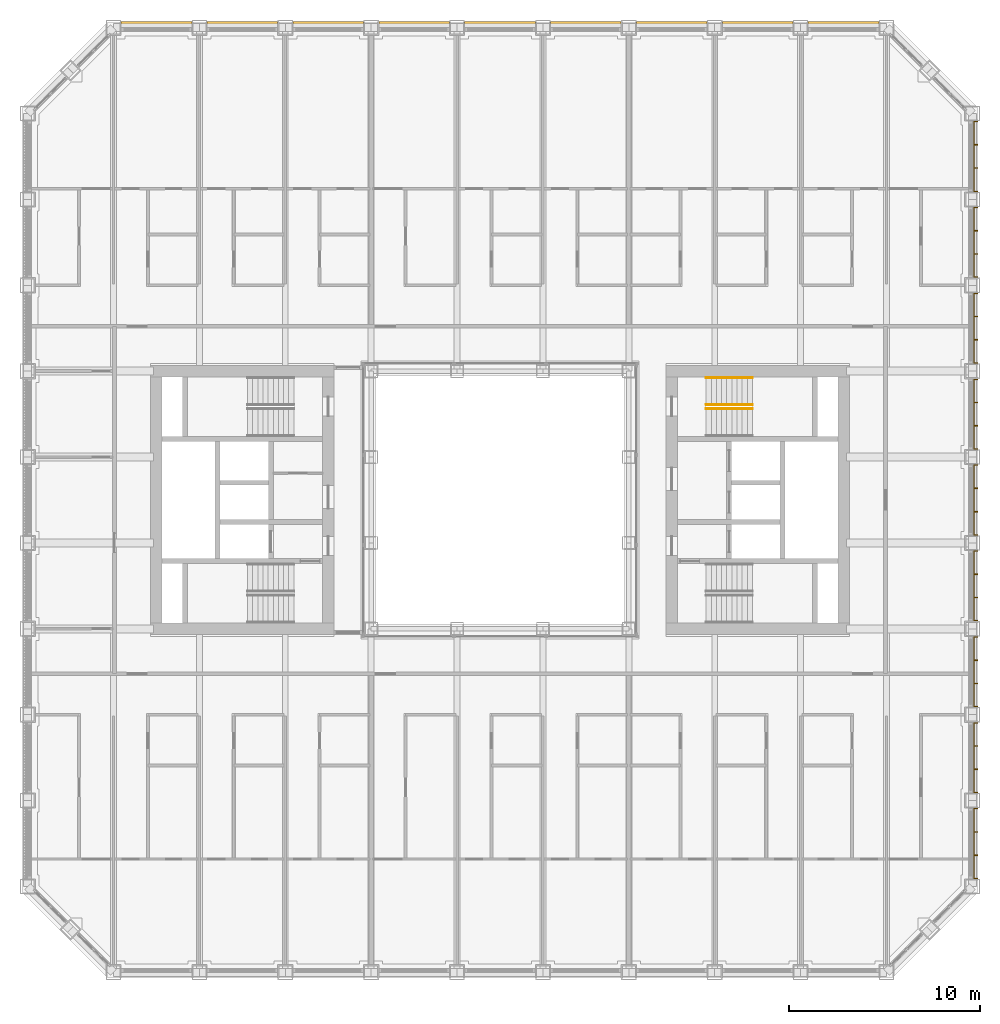
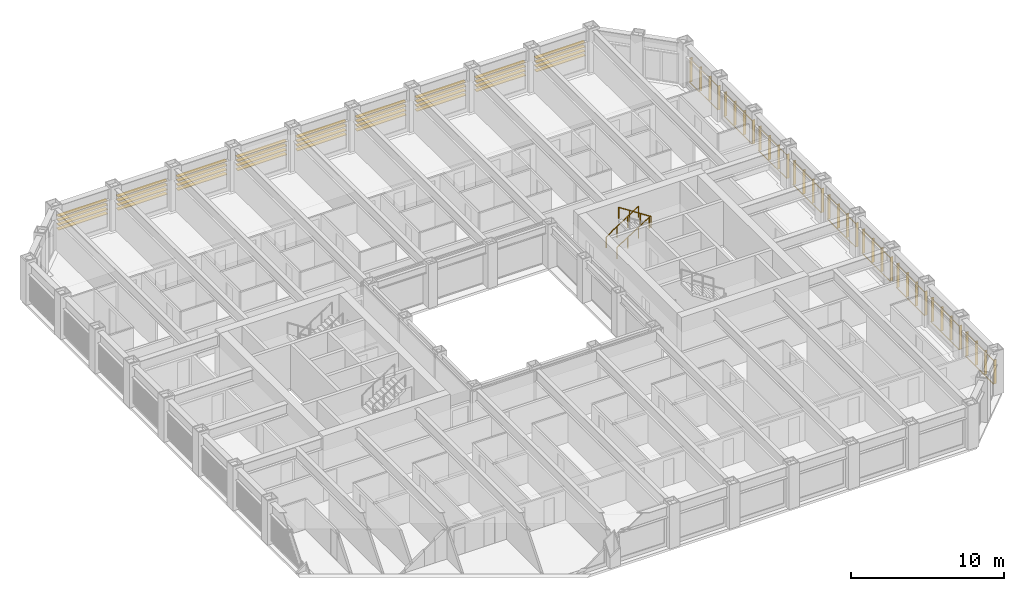
# One storey, part 21 of 21: 3 railings, 2 shading devices.
"""IFC4 building model written with IfcOpenShell, lengths in metres."""

from ifc_helpers import new_model, si_unit, direction, frame, origin, origin_2d, place, context, subcontext, project, spatial, rectangle, circle, extrude, material, type_object, element, save


model = new_model("IFC4")

# Units and contexts
model_context = context("Model", 3, precision=1e-05, world=origin(), true_north=direction((0.0, 1.0)))
body_context = subcontext(model_context, "Body", "Model", "MODEL_VIEW")
ifc_project = project(units=[si_unit("LENGTHUNIT", "METRE"), si_unit("AREAUNIT", "SQUARE_METRE"), si_unit("VOLUMEUNIT", "CUBIC_METRE"), si_unit("PLANEANGLEUNIT", "RADIAN"), si_unit("MASSUNIT", "GRAM", prefix="KILO")], contexts=[model_context])

# Site, building, storey
site_placement = place(None, origin())
site = spatial("IfcSite", under=ifc_project, at=site_placement, CompositionType="ELEMENT")
building_placement = place(site_placement, origin())
building = spatial("IfcBuilding", under=site, at=building_placement, Name="Msasa Ring Tower", CompositionType="ELEMENT")
storey_placement = place(building_placement, frame((0.0, 0.0, 89.5)))
storey = spatial("IfcBuildingStorey", under=building, at=storey_placement, Name="L23", CompositionType="ELEMENT", Elevation=89.5)

# Shading device
ifc_material_1 = material(Name="Extruded terracotta on aluminium carriers", Category="masonry")
shading_device_type_1 = type_object("IfcShadingDeviceType", Name="BS2 TERRACOTTA FIN SCREEN 40x200 AT 1350", PredefinedType="USERDEFINED", material=ifc_material_1)
shading_device_1_placement = place(storey_placement, origin())
element("IfcShadingDevice", 1, at=shading_device_1_placement, inside=storey, type_object=shading_device_type_1, Name="Terracotta fin screen E L23", ObjectType="BAGUETTE", PredefinedType="USERDEFINED", context=body_context, shape_type="SweptSolid", body=[
    extrude(rectangle(XDim=0.06005859375, YDim=0.0400390625, at=origin_2d()), frame((24.830078125, -19.85009765625, 0.330078125), z_axis=(0.0, 1.0, 0.0), x_axis=(0.0, 0.0, 1.0)), (0.0, 0.0, 1.0), 3.699951171875),
    extrude(rectangle(XDim=0.06005859375, YDim=0.0400390625, at=origin_2d()), frame((24.830078125, -19.85009765625, 2.198974609375), z_axis=(0.0, 1.0, 0.0), x_axis=(0.0, 0.0, 1.0)), (0.0, 0.0, 1.0), 3.699951171875),
    extrude(rectangle(XDim=0.0400390625, YDim=0.199951171875, at=origin_2d()), frame((24.945068359375, -19.830078125, 0.300048828125), z_axis=(0.0, 0.0, 1.0), x_axis=(0.0, 1.0, 0.0)), (0.0, 0.0, 1.0), 1.928955078125),
    extrude(rectangle(XDim=0.0400390625, YDim=0.199951171875, at=origin_2d()), frame((24.945068359375, -18.610107421875, 0.300048828125), z_axis=(0.0, 0.0, 1.0), x_axis=(0.0, 1.0, 0.0)), (0.0, 0.0, 1.0), 1.928955078125),
    extrude(rectangle(XDim=0.0400390625, YDim=0.199951171875, at=origin_2d()), frame((24.945068359375, -17.389892578125, 0.300048828125), z_axis=(0.0, 0.0, 1.0), x_axis=(0.0, 1.0, 0.0)), (0.0, 0.0, 1.0), 1.928955078125),
    extrude(rectangle(XDim=0.0400390625, YDim=0.199951171875, at=origin_2d()), frame((24.945068359375, -16.169921875, 0.300048828125), z_axis=(0.0, 0.0, 1.0), x_axis=(0.0, 1.0, 0.0)), (0.0, 0.0, 1.0), 1.928955078125),
    extrude(rectangle(XDim=0.06005859375, YDim=0.0400390625, at=origin_2d()), frame((24.830078125, -15.35009765625, 0.330078125), z_axis=(0.0, 1.0, 0.0), x_axis=(0.0, 0.0, 1.0)), (0.0, 0.0, 1.0), 3.699951171875),
    extrude(rectangle(XDim=0.06005859375, YDim=0.0400390625, at=origin_2d()), frame((24.830078125, -15.35009765625, 2.198974609375), z_axis=(0.0, 1.0, 0.0), x_axis=(0.0, 0.0, 1.0)), (0.0, 0.0, 1.0), 3.699951171875),
    extrude(rectangle(XDim=0.0400390625, YDim=0.199951171875, at=origin_2d()), frame((24.945068359375, -15.330078125, 0.300048828125), z_axis=(0.0, 0.0, 1.0), x_axis=(0.0, 1.0, 0.0)), (0.0, 0.0, 1.0), 1.928955078125),
    extrude(rectangle(XDim=0.0400390625, YDim=0.199951171875, at=origin_2d()), frame((24.945068359375, -14.110107421875, 0.300048828125), z_axis=(0.0, 0.0, 1.0), x_axis=(0.0, 1.0, 0.0)), (0.0, 0.0, 1.0), 1.928955078125),
    extrude(rectangle(XDim=0.0400390625, YDim=0.199951171875, at=origin_2d()), frame((24.945068359375, -12.889892578125, 0.300048828125), z_axis=(0.0, 0.0, 1.0), x_axis=(0.0, 1.0, 0.0)), (0.0, 0.0, 1.0), 1.928955078125),
    extrude(rectangle(XDim=0.0400390625, YDim=0.199951171875, at=origin_2d()), frame((24.945068359375, -11.669921875, 0.300048828125), z_axis=(0.0, 0.0, 1.0), x_axis=(0.0, 1.0, 0.0)), (0.0, 0.0, 1.0), 1.928955078125),
    extrude(rectangle(XDim=0.06005859375, YDim=0.0400390625, at=origin_2d()), frame((24.830078125, -10.85009765625, 0.330078125), z_axis=(0.0, 1.0, 0.0), x_axis=(0.0, 0.0, 1.0)), (0.0, 0.0, 1.0), 3.699951171875),
    extrude(rectangle(XDim=0.06005859375, YDim=0.0400390625, at=origin_2d()), frame((24.830078125, -10.85009765625, 2.198974609375), z_axis=(0.0, 1.0, 0.0), x_axis=(0.0, 0.0, 1.0)), (0.0, 0.0, 1.0), 3.699951171875),
    extrude(rectangle(XDim=0.0400390625, YDim=0.199951171875, at=origin_2d()), frame((24.945068359375, -10.830078125, 0.300048828125), z_axis=(0.0, 0.0, 1.0), x_axis=(0.0, 1.0, 0.0)), (0.0, 0.0, 1.0), 1.928955078125),
    extrude(rectangle(XDim=0.0400390625, YDim=0.199951171875, at=origin_2d()), frame((24.945068359375, -9.610107421875, 0.300048828125), z_axis=(0.0, 0.0, 1.0), x_axis=(0.0, 1.0, 0.0)), (0.0, 0.0, 1.0), 1.928955078125),
    extrude(rectangle(XDim=0.0400390625, YDim=0.199951171875, at=origin_2d()), frame((24.945068359375, -8.389892578125, 0.300048828125), z_axis=(0.0, 0.0, 1.0), x_axis=(0.0, 1.0, 0.0)), (0.0, 0.0, 1.0), 1.928955078125),
    extrude(rectangle(XDim=0.0400390625, YDim=0.199951171875, at=origin_2d()), frame((24.945068359375, -7.169921875, 0.300048828125), z_axis=(0.0, 0.0, 1.0), x_axis=(0.0, 1.0, 0.0)), (0.0, 0.0, 1.0), 1.928955078125),
    extrude(rectangle(XDim=0.06005859375, YDim=0.0400390625, at=origin_2d()), frame((24.830078125, -6.35009765625, 0.330078125), z_axis=(0.0, 1.0, 0.0), x_axis=(0.0, 0.0, 1.0)), (0.0, 0.0, 1.0), 3.699951171875),
    extrude(rectangle(XDim=0.06005859375, YDim=0.0400390625, at=origin_2d()), frame((24.830078125, -6.35009765625, 2.198974609375), z_axis=(0.0, 1.0, 0.0), x_axis=(0.0, 0.0, 1.0)), (0.0, 0.0, 1.0), 3.699951171875),
    extrude(rectangle(XDim=0.0400390625, YDim=0.199951171875, at=origin_2d()), frame((24.945068359375, -6.330078125, 0.300048828125), z_axis=(0.0, 0.0, 1.0), x_axis=(0.0, 1.0, 0.0)), (0.0, 0.0, 1.0), 1.928955078125),
    extrude(rectangle(XDim=0.0400390625, YDim=0.199951171875, at=origin_2d()), frame((24.945068359375, -5.110107421875, 0.300048828125), z_axis=(0.0, 0.0, 1.0), x_axis=(0.0, 1.0, 0.0)), (0.0, 0.0, 1.0), 1.928955078125),
    extrude(rectangle(XDim=0.0400390625, YDim=0.199951171875, at=origin_2d()), frame((24.945068359375, -3.889892578125, 0.300048828125), z_axis=(0.0, 0.0, 1.0), x_axis=(0.0, 1.0, 0.0)), (0.0, 0.0, 1.0), 1.928955078125),
    extrude(rectangle(XDim=0.0400390625, YDim=0.199951171875, at=origin_2d()), frame((24.945068359375, -2.669921875, 0.300048828125), z_axis=(0.0, 0.0, 1.0), x_axis=(0.0, 1.0, 0.0)), (0.0, 0.0, 1.0), 1.928955078125),
    extrude(rectangle(XDim=0.06005859375, YDim=0.0400390625, at=origin_2d()), frame((24.830078125, -1.85009765625, 0.330078125), z_axis=(0.0, 1.0, 0.0), x_axis=(0.0, 0.0, 1.0)), (0.0, 0.0, 1.0), 3.699951171875),
    extrude(rectangle(XDim=0.06005859375, YDim=0.0400390625, at=origin_2d()), frame((24.830078125, -1.85009765625, 2.198974609375), z_axis=(0.0, 1.0, 0.0), x_axis=(0.0, 0.0, 1.0)), (0.0, 0.0, 1.0), 3.699951171875),
    extrude(rectangle(XDim=0.0400390625, YDim=0.199951171875, at=origin_2d()), frame((24.945068359375, -1.830078125, 0.300048828125), z_axis=(0.0, 0.0, 1.0), x_axis=(0.0, 1.0, 0.0)), (0.0, 0.0, 1.0), 1.928955078125),
    extrude(rectangle(XDim=0.0400390625, YDim=0.199951171875, at=origin_2d()), frame((24.945068359375, -0.610107421875, 0.300048828125), z_axis=(0.0, 0.0, 1.0), x_axis=(0.0, 1.0, 0.0)), (0.0, 0.0, 1.0), 1.928955078125),
    extrude(rectangle(XDim=0.0400390625, YDim=0.199951171875, at=origin_2d()), frame((24.945068359375, 0.610107421875, 0.300048828125), z_axis=(0.0, 0.0, 1.0), x_axis=(0.0, 1.0, 0.0)), (0.0, 0.0, 1.0), 1.928955078125),
    extrude(rectangle(XDim=0.0400390625, YDim=0.199951171875, at=origin_2d()), frame((24.945068359375, 1.830078125, 0.300048828125), z_axis=(0.0, 0.0, 1.0), x_axis=(0.0, 1.0, 0.0)), (0.0, 0.0, 1.0), 1.928955078125),
    extrude(rectangle(XDim=0.06005859375, YDim=0.0400390625, at=origin_2d()), frame((24.830078125, 2.64990234375, 0.330078125), z_axis=(0.0, 1.0, 0.0), x_axis=(0.0, 0.0, 1.0)), (0.0, 0.0, 1.0), 3.699951171875),
    extrude(rectangle(XDim=0.06005859375, YDim=0.0400390625, at=origin_2d()), frame((24.830078125, 2.64990234375, 2.198974609375), z_axis=(0.0, 1.0, 0.0), x_axis=(0.0, 0.0, 1.0)), (0.0, 0.0, 1.0), 3.699951171875),
    extrude(rectangle(XDim=0.0400390625, YDim=0.199951171875, at=origin_2d()), frame((24.945068359375, 2.669921875, 0.300048828125), z_axis=(0.0, 0.0, 1.0), x_axis=(0.0, 1.0, 0.0)), (0.0, 0.0, 1.0), 1.928955078125),
    extrude(rectangle(XDim=0.0400390625, YDim=0.199951171875, at=origin_2d()), frame((24.945068359375, 3.889892578125, 0.300048828125), z_axis=(0.0, 0.0, 1.0), x_axis=(0.0, 1.0, 0.0)), (0.0, 0.0, 1.0), 1.928955078125),
    extrude(rectangle(XDim=0.0400390625, YDim=0.199951171875, at=origin_2d()), frame((24.945068359375, 5.110107421875, 0.300048828125), z_axis=(0.0, 0.0, 1.0), x_axis=(0.0, 1.0, 0.0)), (0.0, 0.0, 1.0), 1.928955078125),
    extrude(rectangle(XDim=0.0400390625, YDim=0.199951171875, at=origin_2d()), frame((24.945068359375, 6.330078125, 0.300048828125), z_axis=(0.0, 0.0, 1.0), x_axis=(0.0, 1.0, 0.0)), (0.0, 0.0, 1.0), 1.928955078125),
    extrude(rectangle(XDim=0.06005859375, YDim=0.0400390625, at=origin_2d()), frame((24.830078125, 7.14990234375, 0.330078125), z_axis=(0.0, 1.0, 0.0), x_axis=(0.0, 0.0, 1.0)), (0.0, 0.0, 1.0), 3.699951171875),
    extrude(rectangle(XDim=0.06005859375, YDim=0.0400390625, at=origin_2d()), frame((24.830078125, 7.14990234375, 2.198974609375), z_axis=(0.0, 1.0, 0.0), x_axis=(0.0, 0.0, 1.0)), (0.0, 0.0, 1.0), 3.699951171875),
    extrude(rectangle(XDim=0.0400390625, YDim=0.199951171875, at=origin_2d()), frame((24.945068359375, 7.169921875, 0.300048828125), z_axis=(0.0, 0.0, 1.0), x_axis=(0.0, 1.0, 0.0)), (0.0, 0.0, 1.0), 1.928955078125),
    extrude(rectangle(XDim=0.0400390625, YDim=0.199951171875, at=origin_2d()), frame((24.945068359375, 8.389892578125, 0.300048828125), z_axis=(0.0, 0.0, 1.0), x_axis=(0.0, 1.0, 0.0)), (0.0, 0.0, 1.0), 1.928955078125),
    extrude(rectangle(XDim=0.0400390625, YDim=0.199951171875, at=origin_2d()), frame((24.945068359375, 9.610107421875, 0.300048828125), z_axis=(0.0, 0.0, 1.0), x_axis=(0.0, 1.0, 0.0)), (0.0, 0.0, 1.0), 1.928955078125),
    extrude(rectangle(XDim=0.0400390625, YDim=0.199951171875, at=origin_2d()), frame((24.945068359375, 10.830078125, 0.300048828125), z_axis=(0.0, 0.0, 1.0), x_axis=(0.0, 1.0, 0.0)), (0.0, 0.0, 1.0), 1.928955078125),
    extrude(rectangle(XDim=0.06005859375, YDim=0.0400390625, at=origin_2d()), frame((24.830078125, 11.64990234375, 0.330078125), z_axis=(0.0, 1.0, 0.0), x_axis=(0.0, 0.0, 1.0)), (0.0, 0.0, 1.0), 3.699951171875),
    extrude(rectangle(XDim=0.06005859375, YDim=0.0400390625, at=origin_2d()), frame((24.830078125, 11.64990234375, 2.198974609375), z_axis=(0.0, 1.0, 0.0), x_axis=(0.0, 0.0, 1.0)), (0.0, 0.0, 1.0), 3.699951171875),
    extrude(rectangle(XDim=0.0400390625, YDim=0.199951171875, at=origin_2d()), frame((24.945068359375, 11.669921875, 0.300048828125), z_axis=(0.0, 0.0, 1.0), x_axis=(0.0, 1.0, 0.0)), (0.0, 0.0, 1.0), 1.928955078125),
    extrude(rectangle(XDim=0.0400390625, YDim=0.199951171875, at=origin_2d()), frame((24.945068359375, 12.889892578125, 0.300048828125), z_axis=(0.0, 0.0, 1.0), x_axis=(0.0, 1.0, 0.0)), (0.0, 0.0, 1.0), 1.928955078125),
    extrude(rectangle(XDim=0.0400390625, YDim=0.199951171875, at=origin_2d()), frame((24.945068359375, 14.110107421875, 0.300048828125), z_axis=(0.0, 0.0, 1.0), x_axis=(0.0, 1.0, 0.0)), (0.0, 0.0, 1.0), 1.928955078125),
    extrude(rectangle(XDim=0.0400390625, YDim=0.199951171875, at=origin_2d()), frame((24.945068359375, 15.330078125, 0.300048828125), z_axis=(0.0, 0.0, 1.0), x_axis=(0.0, 1.0, 0.0)), (0.0, 0.0, 1.0), 1.928955078125),
    extrude(rectangle(XDim=0.06005859375, YDim=0.0400390625, at=origin_2d()), frame((24.830078125, 16.14990234375, 0.330078125), z_axis=(0.0, 1.0, 0.0), x_axis=(0.0, 0.0, 1.0)), (0.0, 0.0, 1.0), 3.699951171875),
    extrude(rectangle(XDim=0.06005859375, YDim=0.0400390625, at=origin_2d()), frame((24.830078125, 16.14990234375, 2.198974609375), z_axis=(0.0, 1.0, 0.0), x_axis=(0.0, 0.0, 1.0)), (0.0, 0.0, 1.0), 3.699951171875),
    extrude(rectangle(XDim=0.0400390625, YDim=0.199951171875, at=origin_2d()), frame((24.945068359375, 16.169921875, 0.300048828125), z_axis=(0.0, 0.0, 1.0), x_axis=(0.0, 1.0, 0.0)), (0.0, 0.0, 1.0), 1.928955078125),
    extrude(rectangle(XDim=0.0400390625, YDim=0.199951171875, at=origin_2d()), frame((24.945068359375, 17.389892578125, 0.300048828125), z_axis=(0.0, 0.0, 1.0), x_axis=(0.0, 1.0, 0.0)), (0.0, 0.0, 1.0), 1.928955078125),
    extrude(rectangle(XDim=0.0400390625, YDim=0.199951171875, at=origin_2d()), frame((24.945068359375, 18.610107421875, 0.300048828125), z_axis=(0.0, 0.0, 1.0), x_axis=(0.0, 1.0, 0.0)), (0.0, 0.0, 1.0), 1.928955078125),
    extrude(rectangle(XDim=0.0400390625, YDim=0.199951171875, at=origin_2d()), frame((24.945068359375, 19.830078125, 0.300048828125), z_axis=(0.0, 0.0, 1.0), x_axis=(0.0, 1.0, 0.0)), (0.0, 0.0, 1.0), 1.928955078125),
])

# Railings
ifc_material_2 = material(Name="Stainless steel", Category="steel")
railing_type = type_object("IfcRailingType", Name="HR1 HANDRAIL 900", PredefinedType="HANDRAIL", material=ifc_material_2)
for number, where, name in (
    (2, (10.800048828125, 5.0, 0.175048828125), "Handrail stair SEB L23 1"),
    (3, (10.800048828125, 6.39990234375, 0.175048828125), "Handrail stair SEB L23 2"),
):
    element("IfcRailing", number, at=place(storey_placement, frame(where)), inside=storey, type_object=railing_type, Name=name, PredefinedType="HANDRAIL", context=body_context, shape_type="SweptSolid", body=[
        extrude(circle(Radius=0.02392578125, at=origin_2d()), frame((0.0, 0.0, 0.8759765625), z_axis=(0.839153699163, 0.0, 0.543894354798), x_axis=(0.0, 1.0, 0.0)), (0.0, 0.0, 1.0), 2.895751953125),
        extrude(circle(Radius=0.02099609375, at=origin_2d()), origin(), (0.0, 0.0, 1.0), 0.851806640625),
        extrude(circle(Radius=0.02099609375, at=origin_2d()), frame((0.81005859375, 0.0, 0.52490234375)), (0.0, 0.0, 1.0), 0.851806640625),
        extrude(circle(Radius=0.02099609375, at=origin_2d()), frame((1.619873046875, 0.0, 1.050048828125)), (0.0, 0.0, 1.0), 0.851806640625),
        extrude(circle(Radius=0.02099609375, at=origin_2d()), frame((2.429931640625, 0.0, 1.574951171875)), (0.0, 0.0, 1.0), 0.851806640625),
    ])
railing_placement = place(storey_placement, frame((13.22998046875, 4.77490234375, 1.925048828125)))
element("IfcRailing", 4, at=railing_placement, inside=storey, type_object=railing_type, Name="Handrail stair SEB L23 4", PredefinedType="HANDRAIL", context=body_context, shape_type="SweptSolid", body=[
    extrude(circle(Radius=0.02392578125, at=origin_2d()), frame((0.0, 0.0, 0.8759765625), z_axis=(-0.839153699163, 0.0, 0.543894354798), x_axis=(0.0, -1.0, 0.0)), (0.0, 0.0, 1.0), 2.895751953125),
    extrude(circle(Radius=0.02099609375, at=origin_2d()), origin(), (0.0, 0.0, 1.0), 0.851806640625),
    extrude(circle(Radius=0.02099609375, at=origin_2d()), frame((-0.81005859375, 0.0, 0.52490234375)), (0.0, 0.0, 1.0), 0.851806640625),
    extrude(circle(Radius=0.02099609375, at=origin_2d()), frame((-1.619873046875, 0.0, 1.050048828125)), (0.0, 0.0, 1.0), 0.851806640625),
    extrude(circle(Radius=0.02099609375, at=origin_2d()), frame((-2.429931640625, 0.0, 1.574951171875)), (0.0, 0.0, 1.0), 0.851806640625),
])

# Shading device
ifc_material_3 = material(Name="Extruded terracotta blades", Category="masonry")
shading_device_type_2 = type_object("IfcShadingDeviceType", Name="SS1 TERRACOTTA SUNSHADE 4 BLADES 300x40 AT 350", PredefinedType="USERDEFINED", material=ifc_material_3)
shading_device_2_placement = place(storey_placement, origin())
element("IfcShadingDevice", 5, at=shading_device_2_placement, inside=storey, type_object=shading_device_type_2, Name="Terracotta sunshade N L23", ObjectType="SUNSHADE", PredefinedType="USERDEFINED", context=body_context, shape_type="SweptSolid", body=[
    extrude(rectangle(XDim=0.0400390625, YDim=0.300048828125, at=origin_2d()), frame((-19.85009765625, 24.929931640625, 2.208984375), z_axis=(1.0, 0.0, 0.0), x_axis=(0.0, 0.0, 1.0)), (0.0, 0.0, 1.0), 3.699951171875),
    extrude(rectangle(XDim=0.0400390625, YDim=0.300048828125, at=origin_2d()), frame((-19.85009765625, 24.929931640625, 1.85888671875), z_axis=(1.0, 0.0, 0.0), x_axis=(0.0, 0.0, 1.0)), (0.0, 0.0, 1.0), 3.699951171875),
    extrude(rectangle(XDim=0.0400390625, YDim=0.300048828125, at=origin_2d()), frame((-19.85009765625, 24.929931640625, 1.509033203125), z_axis=(1.0, 0.0, 0.0), x_axis=(0.0, 0.0, 1.0)), (0.0, 0.0, 1.0), 3.699951171875),
    extrude(rectangle(XDim=0.0400390625, YDim=0.300048828125, at=origin_2d()), frame((-19.85009765625, 24.929931640625, 1.158935546875), z_axis=(1.0, 0.0, 0.0), x_axis=(0.0, 0.0, 1.0)), (0.0, 0.0, 1.0), 3.699951171875),
    extrude(rectangle(XDim=0.0400390625, YDim=0.300048828125, at=origin_2d()), frame((-15.35009765625, 24.929931640625, 2.208984375), z_axis=(1.0, 0.0, 0.0), x_axis=(0.0, 0.0, 1.0)), (0.0, 0.0, 1.0), 3.699951171875),
    extrude(rectangle(XDim=0.0400390625, YDim=0.300048828125, at=origin_2d()), frame((-15.35009765625, 24.929931640625, 1.85888671875), z_axis=(1.0, 0.0, 0.0), x_axis=(0.0, 0.0, 1.0)), (0.0, 0.0, 1.0), 3.699951171875),
    extrude(rectangle(XDim=0.0400390625, YDim=0.300048828125, at=origin_2d()), frame((-15.35009765625, 24.929931640625, 1.509033203125), z_axis=(1.0, 0.0, 0.0), x_axis=(0.0, 0.0, 1.0)), (0.0, 0.0, 1.0), 3.699951171875),
    extrude(rectangle(XDim=0.0400390625, YDim=0.300048828125, at=origin_2d()), frame((-15.35009765625, 24.929931640625, 1.158935546875), z_axis=(1.0, 0.0, 0.0), x_axis=(0.0, 0.0, 1.0)), (0.0, 0.0, 1.0), 3.699951171875),
    extrude(rectangle(XDim=0.0400390625, YDim=0.300048828125, at=origin_2d()), frame((-10.85009765625, 24.929931640625, 2.208984375), z_axis=(1.0, 0.0, 0.0), x_axis=(0.0, 0.0, 1.0)), (0.0, 0.0, 1.0), 3.699951171875),
    extrude(rectangle(XDim=0.0400390625, YDim=0.300048828125, at=origin_2d()), frame((-10.85009765625, 24.929931640625, 1.85888671875), z_axis=(1.0, 0.0, 0.0), x_axis=(0.0, 0.0, 1.0)), (0.0, 0.0, 1.0), 3.699951171875),
    extrude(rectangle(XDim=0.0400390625, YDim=0.300048828125, at=origin_2d()), frame((-10.85009765625, 24.929931640625, 1.509033203125), z_axis=(1.0, 0.0, 0.0), x_axis=(0.0, 0.0, 1.0)), (0.0, 0.0, 1.0), 3.699951171875),
    extrude(rectangle(XDim=0.0400390625, YDim=0.300048828125, at=origin_2d()), frame((-10.85009765625, 24.929931640625, 1.158935546875), z_axis=(1.0, 0.0, 0.0), x_axis=(0.0, 0.0, 1.0)), (0.0, 0.0, 1.0), 3.699951171875),
    extrude(rectangle(XDim=0.0400390625, YDim=0.300048828125, at=origin_2d()), frame((-6.35009765625, 24.929931640625, 2.208984375), z_axis=(1.0, 0.0, 0.0), x_axis=(0.0, 0.0, 1.0)), (0.0, 0.0, 1.0), 3.699951171875),
    extrude(rectangle(XDim=0.0400390625, YDim=0.300048828125, at=origin_2d()), frame((-6.35009765625, 24.929931640625, 1.85888671875), z_axis=(1.0, 0.0, 0.0), x_axis=(0.0, 0.0, 1.0)), (0.0, 0.0, 1.0), 3.699951171875),
    extrude(rectangle(XDim=0.0400390625, YDim=0.300048828125, at=origin_2d()), frame((-6.35009765625, 24.929931640625, 1.509033203125), z_axis=(1.0, 0.0, 0.0), x_axis=(0.0, 0.0, 1.0)), (0.0, 0.0, 1.0), 3.699951171875),
    extrude(rectangle(XDim=0.0400390625, YDim=0.300048828125, at=origin_2d()), frame((-6.35009765625, 24.929931640625, 1.158935546875), z_axis=(1.0, 0.0, 0.0), x_axis=(0.0, 0.0, 1.0)), (0.0, 0.0, 1.0), 3.699951171875),
    extrude(rectangle(XDim=0.0400390625, YDim=0.300048828125, at=origin_2d()), frame((-1.85009765625, 24.929931640625, 2.208984375), z_axis=(1.0, 0.0, 0.0), x_axis=(0.0, 0.0, 1.0)), (0.0, 0.0, 1.0), 3.699951171875),
    extrude(rectangle(XDim=0.0400390625, YDim=0.300048828125, at=origin_2d()), frame((-1.85009765625, 24.929931640625, 1.85888671875), z_axis=(1.0, 0.0, 0.0), x_axis=(0.0, 0.0, 1.0)), (0.0, 0.0, 1.0), 3.699951171875),
    extrude(rectangle(XDim=0.0400390625, YDim=0.300048828125, at=origin_2d()), frame((-1.85009765625, 24.929931640625, 1.509033203125), z_axis=(1.0, 0.0, 0.0), x_axis=(0.0, 0.0, 1.0)), (0.0, 0.0, 1.0), 3.699951171875),
    extrude(rectangle(XDim=0.0400390625, YDim=0.300048828125, at=origin_2d()), frame((-1.85009765625, 24.929931640625, 1.158935546875), z_axis=(1.0, 0.0, 0.0), x_axis=(0.0, 0.0, 1.0)), (0.0, 0.0, 1.0), 3.699951171875),
    extrude(rectangle(XDim=0.0400390625, YDim=0.300048828125, at=origin_2d()), frame((2.64990234375, 24.929931640625, 2.208984375), z_axis=(1.0, 0.0, 0.0), x_axis=(0.0, 0.0, 1.0)), (0.0, 0.0, 1.0), 3.699951171875),
    extrude(rectangle(XDim=0.0400390625, YDim=0.300048828125, at=origin_2d()), frame((2.64990234375, 24.929931640625, 1.85888671875), z_axis=(1.0, 0.0, 0.0), x_axis=(0.0, 0.0, 1.0)), (0.0, 0.0, 1.0), 3.699951171875),
    extrude(rectangle(XDim=0.0400390625, YDim=0.300048828125, at=origin_2d()), frame((2.64990234375, 24.929931640625, 1.509033203125), z_axis=(1.0, 0.0, 0.0), x_axis=(0.0, 0.0, 1.0)), (0.0, 0.0, 1.0), 3.699951171875),
    extrude(rectangle(XDim=0.0400390625, YDim=0.300048828125, at=origin_2d()), frame((2.64990234375, 24.929931640625, 1.158935546875), z_axis=(1.0, 0.0, 0.0), x_axis=(0.0, 0.0, 1.0)), (0.0, 0.0, 1.0), 3.699951171875),
    extrude(rectangle(XDim=0.0400390625, YDim=0.300048828125, at=origin_2d()), frame((7.14990234375, 24.929931640625, 2.208984375), z_axis=(1.0, 0.0, 0.0), x_axis=(0.0, 0.0, 1.0)), (0.0, 0.0, 1.0), 3.699951171875),
    extrude(rectangle(XDim=0.0400390625, YDim=0.300048828125, at=origin_2d()), frame((7.14990234375, 24.929931640625, 1.85888671875), z_axis=(1.0, 0.0, 0.0), x_axis=(0.0, 0.0, 1.0)), (0.0, 0.0, 1.0), 3.699951171875),
    extrude(rectangle(XDim=0.0400390625, YDim=0.300048828125, at=origin_2d()), frame((7.14990234375, 24.929931640625, 1.509033203125), z_axis=(1.0, 0.0, 0.0), x_axis=(0.0, 0.0, 1.0)), (0.0, 0.0, 1.0), 3.699951171875),
    extrude(rectangle(XDim=0.0400390625, YDim=0.300048828125, at=origin_2d()), frame((7.14990234375, 24.929931640625, 1.158935546875), z_axis=(1.0, 0.0, 0.0), x_axis=(0.0, 0.0, 1.0)), (0.0, 0.0, 1.0), 3.699951171875),
    extrude(rectangle(XDim=0.0400390625, YDim=0.300048828125, at=origin_2d()), frame((11.64990234375, 24.929931640625, 2.208984375), z_axis=(1.0, 0.0, 0.0), x_axis=(0.0, 0.0, 1.0)), (0.0, 0.0, 1.0), 3.699951171875),
    extrude(rectangle(XDim=0.0400390625, YDim=0.300048828125, at=origin_2d()), frame((11.64990234375, 24.929931640625, 1.85888671875), z_axis=(1.0, 0.0, 0.0), x_axis=(0.0, 0.0, 1.0)), (0.0, 0.0, 1.0), 3.699951171875),
    extrude(rectangle(XDim=0.0400390625, YDim=0.300048828125, at=origin_2d()), frame((11.64990234375, 24.929931640625, 1.509033203125), z_axis=(1.0, 0.0, 0.0), x_axis=(0.0, 0.0, 1.0)), (0.0, 0.0, 1.0), 3.699951171875),
    extrude(rectangle(XDim=0.0400390625, YDim=0.300048828125, at=origin_2d()), frame((11.64990234375, 24.929931640625, 1.158935546875), z_axis=(1.0, 0.0, 0.0), x_axis=(0.0, 0.0, 1.0)), (0.0, 0.0, 1.0), 3.699951171875),
    extrude(rectangle(XDim=0.0400390625, YDim=0.300048828125, at=origin_2d()), frame((16.14990234375, 24.929931640625, 2.208984375), z_axis=(1.0, 0.0, 0.0), x_axis=(0.0, 0.0, 1.0)), (0.0, 0.0, 1.0), 3.699951171875),
    extrude(rectangle(XDim=0.0400390625, YDim=0.300048828125, at=origin_2d()), frame((16.14990234375, 24.929931640625, 1.85888671875), z_axis=(1.0, 0.0, 0.0), x_axis=(0.0, 0.0, 1.0)), (0.0, 0.0, 1.0), 3.699951171875),
    extrude(rectangle(XDim=0.0400390625, YDim=0.300048828125, at=origin_2d()), frame((16.14990234375, 24.929931640625, 1.509033203125), z_axis=(1.0, 0.0, 0.0), x_axis=(0.0, 0.0, 1.0)), (0.0, 0.0, 1.0), 3.699951171875),
    extrude(rectangle(XDim=0.0400390625, YDim=0.300048828125, at=origin_2d()), frame((16.14990234375, 24.929931640625, 1.158935546875), z_axis=(1.0, 0.0, 0.0), x_axis=(0.0, 0.0, 1.0)), (0.0, 0.0, 1.0), 3.699951171875),
])

save(model, "model.ifc")
